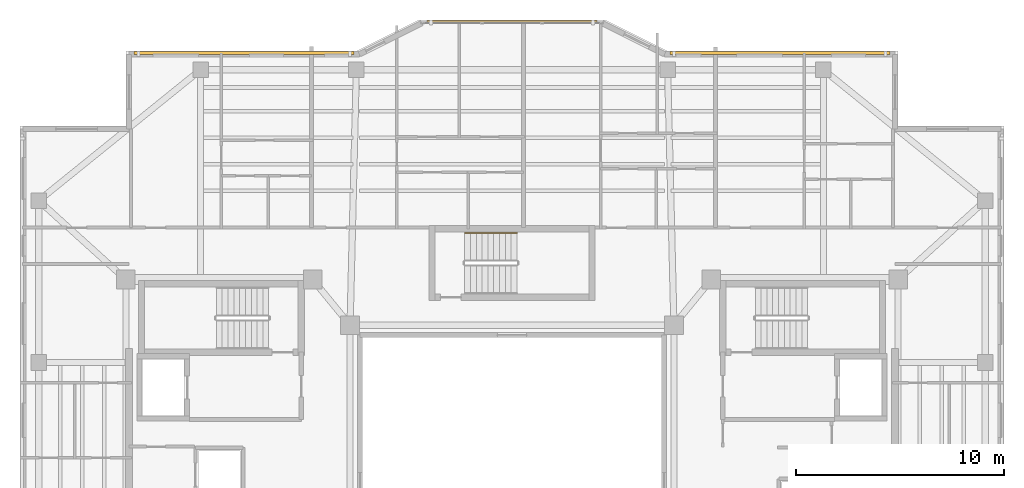
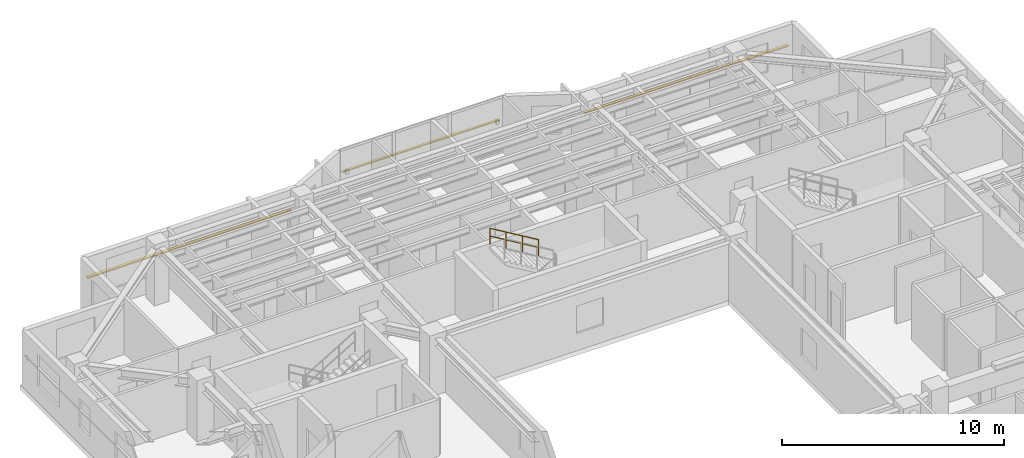
# One storey, part 12 of 12: 3 shading devices, 1 railing.
"""IFC4 building model written with IfcOpenShell, lengths in metres."""

from ifc_helpers import new_model, si_unit, direction, frame, origin, origin_2d, place, context, subcontext, project, spatial, rectangle, circle, extrude, material, material_profile, profile_set, type_object, element, save


model = new_model("IFC4")

# Units and contexts
model_context = context("Model", 3, precision=1e-05, world=origin(), true_north=direction((0.0, 1.0)))
body_context = subcontext(model_context, "Body", "Model", "MODEL_VIEW")
ifc_project = project(units=[si_unit("LENGTHUNIT", "METRE"), si_unit("AREAUNIT", "SQUARE_METRE"), si_unit("VOLUMEUNIT", "CUBIC_METRE"), si_unit("PLANEANGLEUNIT", "RADIAN"), si_unit("MASSUNIT", "GRAM", prefix="KILO")], contexts=[model_context])

# Site, building, storey
site_placement = place(None, origin())
site = spatial("IfcSite", under=ifc_project, at=site_placement, CompositionType="ELEMENT")
building_placement = place(site_placement, origin())
building = spatial("IfcBuilding", under=site, at=building_placement, Name="Tarnavaz Court Tower", CompositionType="ELEMENT")
storey_placement = place(building_placement, frame((0.0, 0.0, 200.300048828125)))
storey = spatial("IfcBuildingStorey", under=building, at=storey_placement, Name="L54", CompositionType="ELEMENT", Elevation=200.300048828125)

# Railing
ifc_material_1 = material(Name="Brushed Stainless Steel", Category="steel")
railing_type = type_object("IfcRailingType", Name="RL-HANDRAIL-900", PredefinedType="HANDRAIL", material=ifc_material_1)
railing_placement = place(storey_placement, frame((0.239990234375, 12.239990234375, 1.842529296875)))
element("IfcRailing", 1, at=railing_placement, inside=storey, type_object=railing_type, Name="L54 ST-N1 stair handrail 2", PredefinedType="HANDRAIL", context=body_context, shape_type="SweptSolid", body=[
    extrude(circle(Radius=0.02392578125, at=origin_2d()), frame((0.0, 0.0, 0.8759765625), z_axis=(-0.858196387827, 0.0, 0.513321497621), x_axis=(0.0, -1.0, 0.0)), (0.0, 0.0, 1.0), 2.9365234375),
    extrude(circle(Radius=0.02392578125, at=origin_2d()), frame((0.0, 0.0, 0.449951171875), z_axis=(-0.858196387827, 0.0, 0.513321497621), x_axis=(0.0, -1.0, 0.0)), (0.0, 0.0, 1.0), 2.9365234375),
    extrude(circle(Radius=0.02099609375, at=origin_2d()), origin(), (0.0, 0.0, 1.0), 0.851806640625),
    extrude(circle(Radius=0.02099609375, at=origin_2d()), frame((-0.840087890625, 0.0, 0.50244140625)), (0.0, 0.0, 1.0), 0.851806640625),
    extrude(circle(Radius=0.02099609375, at=origin_2d()), frame((-1.679931640625, 0.0, 1.0048828125)), (0.0, 0.0, 1.0), 0.851806640625),
    extrude(circle(Radius=0.02099609375, at=origin_2d()), frame((-2.52001953125, 0.0, 1.50732421875)), (0.0, 0.0, 1.0), 0.851806640625),
])

# Shading devices
ifc_material_2 = material(Name="Kiln-Fired Khorasan Terracotta Ceramic", Category="masonry")
ifc_material_profile_1 = material_profile(ifc_material_2, rectangle(XDim=0.1201171875, YDim=0.06005859375, at=origin_2d()), Name="TC BAGUETTE 120X60")
ifc_profile_set_1 = profile_set([ifc_material_profile_1], Name="Kiln-Fired Khorasan Terracotta Ceramic")
shading_device_type_1 = type_object("IfcShadingDeviceType", Name="SD-BAG-120", PredefinedType="USERDEFINED", material=ifc_profile_set_1)
shading_device_placement = place(storey_placement, frame((-4.10009765625, 22.409912109375, 1.800048828125), z_axis=(1.0, 0.0, 0.0), x_axis=(0.0, 1.0, 0.0)))
element("IfcShadingDevice", 2, at=shading_device_placement, inside=storey, type_object=shading_device_type_1, Name="L54 Terracotta Baguette Screen PBG7", ObjectType="BAGUETTE", PredefinedType="USERDEFINED", context=body_context, shape_type="SweptSolid", body=[
    extrude(rectangle(XDim=0.1201171875, YDim=0.06005859375, at=origin_2d()), origin(), (0.0, 0.0, 1.0), 8.2001953125),
])
ifc_material_profile_2 = material_profile(ifc_material_2, rectangle(XDim=0.14990234375, YDim=0.06494140625, at=origin_2d()), Name="TC BAGUETTE 150X65")
ifc_profile_set_2 = profile_set([ifc_material_profile_2], Name="Kiln-Fired Khorasan Terracotta Ceramic")
shading_device_type_2 = type_object("IfcShadingDeviceType", Name="SD-BAG-150", PredefinedType="USERDEFINED", material=ifc_profile_set_2)
for number, where, z_axis, x_axis, name in (
    (3, (-18.199951171875, 20.909912109375, 1.849853515625), (1.0, 0.0, 0.0), (0.0, 1.0, 0.0), "L54 Terracotta Baguette Screen FBG05"),
    (4, (7.60009765625, 20.909912109375, 1.849853515625), (1.0, 0.0, 0.0), (0.0, 1.0, 0.0), "L54 Terracotta Baguette Screen FBG09"),
):
    element("IfcShadingDevice", number, at=place(storey_placement, frame(where, z_axis=z_axis, x_axis=x_axis)), inside=storey, type_object=shading_device_type_2, Name=name, ObjectType="BAGUETTE", PredefinedType="USERDEFINED", context=body_context, shape_type="SweptSolid", body=[
        extrude(rectangle(XDim=0.14990234375, YDim=0.06494140625, at=origin_2d()), origin(), (0.0, 0.0, 1.0), 10.599853515625),
    ])

save(model, "model.ifc")
